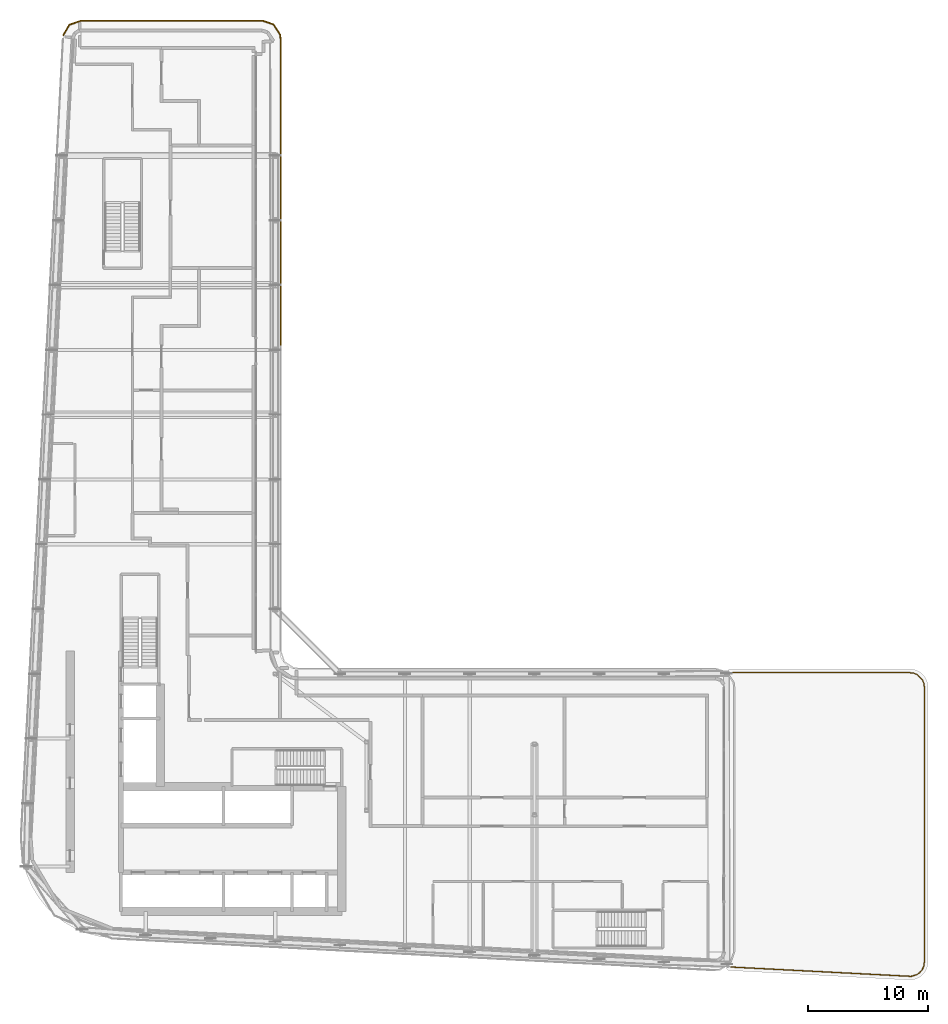
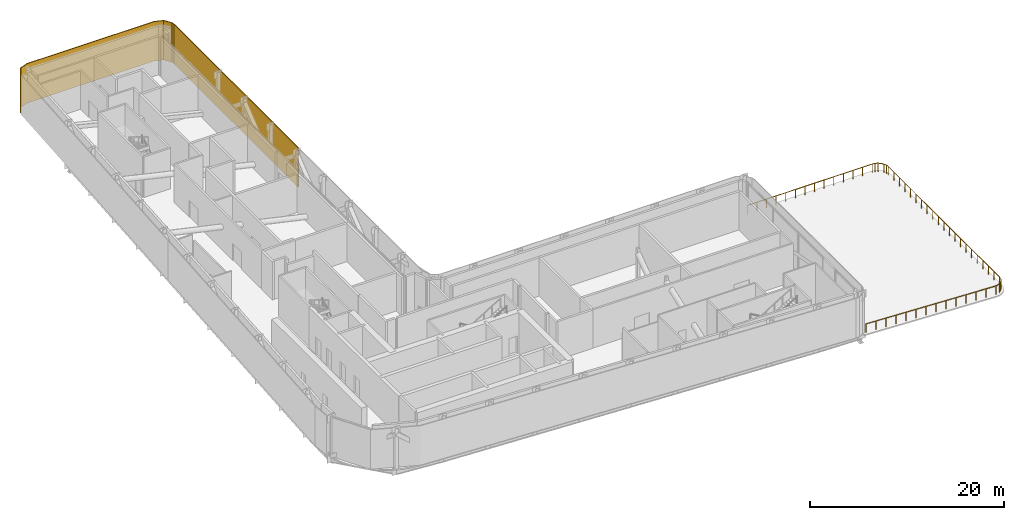
# One storey, part 23 of 23: 2 shading devices, 1 railing.
"""IFC4 building model written with IfcOpenShell, lengths in metres."""

from ifc_helpers import new_model, si_unit, direction, frame, origin, origin_2d, place, context, subcontext, project, spatial, polyline, rectangle, circle, outline, extrude, material, layer, layer_set, type_object, element, save


model = new_model("IFC4")

# Units and contexts
model_context = context("Model", 3, precision=1e-05, world=origin(), true_north=direction((0.0, 1.0)))
body_context = subcontext(model_context, "Body", "Model", "MODEL_VIEW")
ifc_project = project(units=[si_unit("LENGTHUNIT", "METRE"), si_unit("AREAUNIT", "SQUARE_METRE"), si_unit("VOLUMEUNIT", "CUBIC_METRE"), si_unit("PLANEANGLEUNIT", "RADIAN"), si_unit("MASSUNIT", "GRAM", prefix="KILO")], contexts=[model_context])

# Site, building, storey
site_placement = place(None, origin())
site = spatial("IfcSite", under=ifc_project, at=site_placement, CompositionType="ELEMENT")
building_placement = place(site_placement, origin())
building = spatial("IfcBuilding", under=site, at=building_placement, Name="Kheshtan School and Residences Tower", CompositionType="ELEMENT")
storey_placement = place(building_placement, frame((0.0, 0.0, 211.10009765625)))
storey = spatial("IfcBuildingStorey", under=building, at=storey_placement, Name="L49", CompositionType="ELEMENT", Elevation=211.10009765625)

# Railing
ifc_material_1 = material(Name="Stainless steel balustrade", Category="steel")
railing_type = type_object("IfcRailingType", Name="Loggia guard 1100", PredefinedType="GUARDRAIL", material=ifc_material_1)
railing_placement = place(storey_placement, frame((85.636962890625, 45.699951171875, 0.0)))
element("IfcRailing", 1, at=railing_placement, inside=storey, type_object=railing_type, Name="Terrace guard L49 1", PredefinedType="GUARDRAIL", context=body_context, shape_type="SweptSolid", body=[
    extrude(circle(Radius=0.02392578125, at=origin_2d()), frame((0.0, 0.0, 1.076171875), z_axis=(1.0, 0.0, 0.0), x_axis=(0.0, 1.0, 0.0)), (0.0, 0.0, 1.0), 14.85205078125),
    extrude(circle(Radius=0.02392578125, at=origin_2d()), frame((14.85205078125, 0.0, 1.076171875), z_axis=(0.991202194162, -0.132356376075, 0.0), x_axis=(0.132356376075, 0.991202194162, 0.0)), (0.0, 0.0, 1.0), 0.33203125),
    extrude(circle(Radius=0.02392578125, at=origin_2d()), frame((15.18115234375, -0.0439453125, 1.076171875), z_axis=(0.921753063993, -0.387777370433, 0.0), x_axis=(0.387777370433, 0.921753063993, 0.0)), (0.0, 0.0, 1.0), 0.312255859375),
    extrude(circle(Radius=0.02392578125, at=origin_2d()), frame((15.468994140625, -0.1650390625, 1.076171875), z_axis=(0.707106781187, -0.707106781187, 0.0), x_axis=(0.707106781187, 0.707106781187, 0.0)), (0.0, 0.0, 1.0), 0.606689453125),
    extrude(circle(Radius=0.02392578125, at=origin_2d()), frame((15.89794921875, -0.593994140625, 1.076171875), z_axis=(0.387777370433, -0.921753063993, 0.0), x_axis=(0.921753063993, 0.387777370433, 0.0)), (0.0, 0.0, 1.0), 0.312255859375),
    extrude(circle(Radius=0.02392578125, at=origin_2d()), frame((16.01904296875, -0.8818359375, 1.076171875), z_axis=(0.132356376075, -0.991202194162, 0.0), x_axis=(0.991202194162, 0.132356376075, 0.0)), (0.0, 0.0, 1.0), 0.33203125),
    extrude(circle(Radius=0.02392578125, at=origin_2d()), frame((16.06298828125, -1.2109375, 1.076171875), z_axis=(0.0, -1.0, 0.0), x_axis=(1.0, 0.0, 0.0)), (0.0, 0.0, 1.0), 22.89697265625),
    extrude(circle(Radius=0.02392578125, at=origin_2d()), frame((16.06298828125, -24.10791015625, 1.076171875), z_axis=(-0.13692698308, -0.990581143221, 0.0), x_axis=(0.990581143221, -0.13692698308, 0.0)), (0.0, 0.0, 1.0), 0.34228515625),
    extrude(circle(Radius=0.02392578125, at=origin_2d()), frame((16.01611328125, -24.447021484375, 1.076171875), z_axis=(-0.395338867493, -0.91853534491, 0.0), x_axis=(0.91853534491, -0.395338867493, 0.0)), (0.0, 0.0, 1.0), 0.311279296875),
    extrude(circle(Radius=0.02392578125, at=origin_2d()), frame((15.89306640625, -24.73291015625, 1.076171875), z_axis=(-0.626825986898, -0.779159279063, 0.0), x_axis=(0.779159279063, -0.626825986898, 0.0)), (0.0, 0.0, 1.0), 0.3349609375),
    extrude(circle(Radius=0.02392578125, at=origin_2d()), frame((15.68310546875, -24.993896484375, 1.076171875), z_axis=(-0.811263770909, -0.584680334893, 0.0), x_axis=(0.584680334893, -0.811263770909, 0.0)), (0.0, 0.0, 1.0), 0.30810546875),
    extrude(circle(Radius=0.02392578125, at=origin_2d()), frame((15.43310546875, -25.174072265625, 1.076171875), z_axis=(-0.959901308378, -0.280338149695, 0.0), x_axis=(0.280338149695, -0.959901308378, 0.0)), (0.0, 0.0, 1.0), 0.4990234375),
    extrude(circle(Radius=0.02392578125, at=origin_2d()), frame((14.9541015625, -25.31396484375, 1.076171875), z_axis=(-0.998657059951, 0.051808074757, 0.0), x_axis=(-0.051808074757, -0.998657059951, 0.0)), (0.0, 0.0, 1.0), 15.037353515625),
    extrude(circle(Radius=0.02099609375, at=origin_2d()), origin(), (0.0, 0.0, 1.0), 1.052001953125),
    extrude(circle(Radius=0.02099609375, at=origin_2d()), frame((1.142578125, 0.0, 0.0)), (0.0, 0.0, 1.0), 1.052001953125),
    extrude(circle(Radius=0.02099609375, at=origin_2d()), frame((2.284912109375, 0.0, 0.0)), (0.0, 0.0, 1.0), 1.052001953125),
    extrude(circle(Radius=0.02099609375, at=origin_2d()), frame((3.427490234375, 0.0, 0.0)), (0.0, 0.0, 1.0), 1.052001953125),
    extrude(circle(Radius=0.02099609375, at=origin_2d()), frame((4.56982421875, 0.0, 0.0)), (0.0, 0.0, 1.0), 1.052001953125),
    extrude(circle(Radius=0.02099609375, at=origin_2d()), frame((5.71240234375, 0.0, 0.0)), (0.0, 0.0, 1.0), 1.052001953125),
    extrude(circle(Radius=0.02099609375, at=origin_2d()), frame((6.854736328125, 0.0, 0.0)), (0.0, 0.0, 1.0), 1.052001953125),
    extrude(circle(Radius=0.02099609375, at=origin_2d()), frame((7.997314453125, 0.0, 0.0)), (0.0, 0.0, 1.0), 1.052001953125),
    extrude(circle(Radius=0.02099609375, at=origin_2d()), frame((9.1396484375, 0.0, 0.0)), (0.0, 0.0, 1.0), 1.052001953125),
    extrude(circle(Radius=0.02099609375, at=origin_2d()), frame((10.2822265625, 0.0, 0.0)), (0.0, 0.0, 1.0), 1.052001953125),
    extrude(circle(Radius=0.02099609375, at=origin_2d()), frame((11.424560546875, 0.0, 0.0)), (0.0, 0.0, 1.0), 1.052001953125),
    extrude(circle(Radius=0.02099609375, at=origin_2d()), frame((12.567138671875, 0.0, 0.0)), (0.0, 0.0, 1.0), 1.052001953125),
    extrude(circle(Radius=0.02099609375, at=origin_2d()), frame((13.70947265625, 0.0, 0.0)), (0.0, 0.0, 1.0), 1.052001953125),
    extrude(circle(Radius=0.02099609375, at=origin_2d()), frame((14.85205078125, 0.0, 0.0)), (0.0, 0.0, 1.0), 1.052001953125),
    extrude(circle(Radius=0.02099609375, at=origin_2d()), frame((15.18115234375, -0.0439453125, 0.0)), (0.0, 0.0, 1.0), 1.052001953125),
    extrude(circle(Radius=0.02099609375, at=origin_2d()), frame((15.468994140625, -0.1650390625, 0.0)), (0.0, 0.0, 1.0), 1.052001953125),
    extrude(circle(Radius=0.02099609375, at=origin_2d()), frame((15.89794921875, -0.593994140625, 0.0)), (0.0, 0.0, 1.0), 1.052001953125),
    extrude(circle(Radius=0.02099609375, at=origin_2d()), frame((16.01904296875, -0.8818359375, 0.0)), (0.0, 0.0, 1.0), 1.052001953125),
    extrude(circle(Radius=0.02099609375, at=origin_2d()), frame((16.06298828125, -1.2109375, 0.0)), (0.0, 0.0, 1.0), 1.052001953125),
    extrude(circle(Radius=0.02099609375, at=origin_2d()), frame((16.06298828125, -2.355712890625, 0.0)), (0.0, 0.0, 1.0), 1.052001953125),
    extrude(circle(Radius=0.02099609375, at=origin_2d()), frame((16.06298828125, -3.500732421875, 0.0)), (0.0, 0.0, 1.0), 1.052001953125),
    extrude(circle(Radius=0.02099609375, at=origin_2d()), frame((16.06298828125, -4.6455078125, 0.0)), (0.0, 0.0, 1.0), 1.052001953125),
    extrude(circle(Radius=0.02099609375, at=origin_2d()), frame((16.06298828125, -5.790283203125, 0.0)), (0.0, 0.0, 1.0), 1.052001953125),
    extrude(circle(Radius=0.02099609375, at=origin_2d()), frame((16.06298828125, -6.93505859375, 0.0)), (0.0, 0.0, 1.0), 1.052001953125),
    extrude(circle(Radius=0.02099609375, at=origin_2d()), frame((16.06298828125, -8.080078125, 0.0)), (0.0, 0.0, 1.0), 1.052001953125),
    extrude(circle(Radius=0.02099609375, at=origin_2d()), frame((16.06298828125, -9.224853515625, 0.0)), (0.0, 0.0, 1.0), 1.052001953125),
    extrude(circle(Radius=0.02099609375, at=origin_2d()), frame((16.06298828125, -10.36962890625, 0.0)), (0.0, 0.0, 1.0), 1.052001953125),
    extrude(circle(Radius=0.02099609375, at=origin_2d()), frame((16.06298828125, -11.5146484375, 0.0)), (0.0, 0.0, 1.0), 1.052001953125),
    extrude(circle(Radius=0.02099609375, at=origin_2d()), frame((16.06298828125, -12.659423828125, 0.0)), (0.0, 0.0, 1.0), 1.052001953125),
    extrude(circle(Radius=0.02099609375, at=origin_2d()), frame((16.06298828125, -13.80419921875, 0.0)), (0.0, 0.0, 1.0), 1.052001953125),
    extrude(circle(Radius=0.02099609375, at=origin_2d()), frame((16.06298828125, -14.94921875, 0.0)), (0.0, 0.0, 1.0), 1.052001953125),
    extrude(circle(Radius=0.02099609375, at=origin_2d()), frame((16.06298828125, -16.093994140625, 0.0)), (0.0, 0.0, 1.0), 1.052001953125),
    extrude(circle(Radius=0.02099609375, at=origin_2d()), frame((16.06298828125, -17.23876953125, 0.0)), (0.0, 0.0, 1.0), 1.052001953125),
    extrude(circle(Radius=0.02099609375, at=origin_2d()), frame((16.06298828125, -18.3837890625, 0.0)), (0.0, 0.0, 1.0), 1.052001953125),
    extrude(circle(Radius=0.02099609375, at=origin_2d()), frame((16.06298828125, -19.528564453125, 0.0)), (0.0, 0.0, 1.0), 1.052001953125),
    extrude(circle(Radius=0.02099609375, at=origin_2d()), frame((16.06298828125, -20.67333984375, 0.0)), (0.0, 0.0, 1.0), 1.052001953125),
    extrude(circle(Radius=0.02099609375, at=origin_2d()), frame((16.06298828125, -21.818115234375, 0.0)), (0.0, 0.0, 1.0), 1.052001953125),
    extrude(circle(Radius=0.02099609375, at=origin_2d()), frame((16.06298828125, -22.963134765625, 0.0)), (0.0, 0.0, 1.0), 1.052001953125),
    extrude(circle(Radius=0.02099609375, at=origin_2d()), frame((16.06298828125, -24.10791015625, 0.0)), (0.0, 0.0, 1.0), 1.052001953125),
    extrude(circle(Radius=0.02099609375, at=origin_2d()), frame((16.01611328125, -24.447021484375, 0.0)), (0.0, 0.0, 1.0), 1.052001953125),
    extrude(circle(Radius=0.02099609375, at=origin_2d()), frame((15.89306640625, -24.73291015625, 0.0)), (0.0, 0.0, 1.0), 1.052001953125),
    extrude(circle(Radius=0.02099609375, at=origin_2d()), frame((15.68310546875, -24.993896484375, 0.0)), (0.0, 0.0, 1.0), 1.052001953125),
    extrude(circle(Radius=0.02099609375, at=origin_2d()), frame((15.43310546875, -25.174072265625, 0.0)), (0.0, 0.0, 1.0), 1.052001953125),
    extrude(circle(Radius=0.02099609375, at=origin_2d()), frame((14.9541015625, -25.31396484375, 0.0)), (0.0, 0.0, 1.0), 1.052001953125),
    extrude(circle(Radius=0.02099609375, at=origin_2d()), frame((13.798828125, -25.254150390625, 0.0)), (0.0, 0.0, 1.0), 1.052001953125),
    extrude(circle(Radius=0.02099609375, at=origin_2d()), frame((12.643798828125, -25.194091796875, 0.0)), (0.0, 0.0, 1.0), 1.052001953125),
    extrude(circle(Radius=0.02099609375, at=origin_2d()), frame((11.488525390625, -25.13427734375, 0.0)), (0.0, 0.0, 1.0), 1.052001953125),
    extrude(circle(Radius=0.02099609375, at=origin_2d()), frame((10.33349609375, -25.07421875, 0.0)), (0.0, 0.0, 1.0), 1.052001953125),
    extrude(circle(Radius=0.02099609375, at=origin_2d()), frame((9.17822265625, -25.014404296875, 0.0)), (0.0, 0.0, 1.0), 1.052001953125),
    extrude(circle(Radius=0.02099609375, at=origin_2d()), frame((8.023193359375, -24.954345703125, 0.0)), (0.0, 0.0, 1.0), 1.052001953125),
    extrude(circle(Radius=0.02099609375, at=origin_2d()), frame((6.867919921875, -24.89453125, 0.0)), (0.0, 0.0, 1.0), 1.052001953125),
    extrude(circle(Radius=0.02099609375, at=origin_2d()), frame((5.712890625, -24.83447265625, 0.0)), (0.0, 0.0, 1.0), 1.052001953125),
    extrude(circle(Radius=0.02099609375, at=origin_2d()), frame((4.5576171875, -24.774658203125, 0.0)), (0.0, 0.0, 1.0), 1.052001953125),
    extrude(circle(Radius=0.02099609375, at=origin_2d()), frame((3.402587890625, -24.714599609375, 0.0)), (0.0, 0.0, 1.0), 1.052001953125),
    extrude(circle(Radius=0.02099609375, at=origin_2d()), frame((2.247314453125, -24.65478515625, 0.0)), (0.0, 0.0, 1.0), 1.052001953125),
    extrude(circle(Radius=0.02099609375, at=origin_2d()), frame((1.09228515625, -24.5947265625, 0.0)), (0.0, 0.0, 1.0), 1.052001953125),
    extrude(circle(Radius=0.02099609375, at=origin_2d()), frame((-0.06298828125, -24.534912109375, 0.0)), (0.0, 0.0, 1.0), 1.052001953125),
])

# Shading devices
ifc_material_2 = material(Name="Terracotta louvre blades", Category="masonry")
ifc_layer = layer(ifc_material_2, 0.10009765625)
ifc_layer_set = layer_set([ifc_layer], Name="Plant louvre screen")
shading_device_type = type_object("IfcShadingDeviceType", Name="Plant louvre screen", PredefinedType="JALOUSIE", material=ifc_layer_set)
shading_device_1_placement = place(storey_placement, origin())
element("IfcShadingDevice", 2, at=shading_device_1_placement, inside=storey, type_object=shading_device_type, Name="Screen L49 1", PredefinedType="JALOUSIE", context=body_context, shape_type="SweptSolid", body=[
    extrude(outline(polyline([(29.949951171875, 98.783935546875), (30.468017578125, 99.656982421875), (31.423095703125, 100.0), (46.5, 100.0), (47.4130859375, 99.68994140625), (47.948974609375, 98.887939453125), (48.0, 98.5), (48.09912109375, 98.512939453125), (48.044921875, 98.924072265625), (47.47705078125, 99.77392578125), (46.51708984375, 100.10009765625), (31.406005859375, 100.10009765625), (30.39990234375, 99.739013671875), (29.864013671875, 98.8349609375), (29.949951171875, 98.783935546875)])), origin(), (0.0, 0.0, 1.0), 4.949951171875),
])
shading_device_2_placement = place(storey_placement, frame((48.050048828125, 85.75, 0.0), z_axis=(0.0, 0.0, 1.0), x_axis=(0.0, -1.0, 0.0)))
element("IfcShadingDevice", 3, at=shading_device_2_placement, inside=storey, type_object=shading_device_type, Name="Screen L49 2", PredefinedType="JALOUSIE", context=body_context, shape_type="SweptSolid", body=[
    extrude(rectangle(XDim=25.5, YDim=0.10009765625, at=origin_2d()), origin(), (0.0, 0.0, 1.0), 4.949951171875),
])

save(model, "model.ifc")
